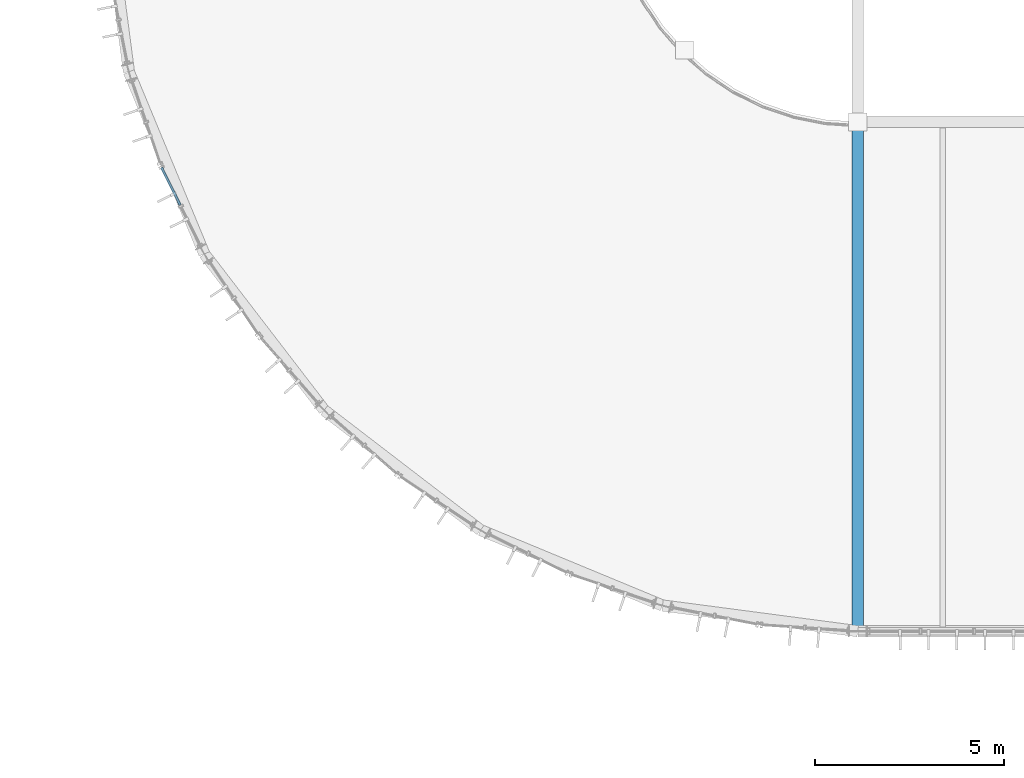
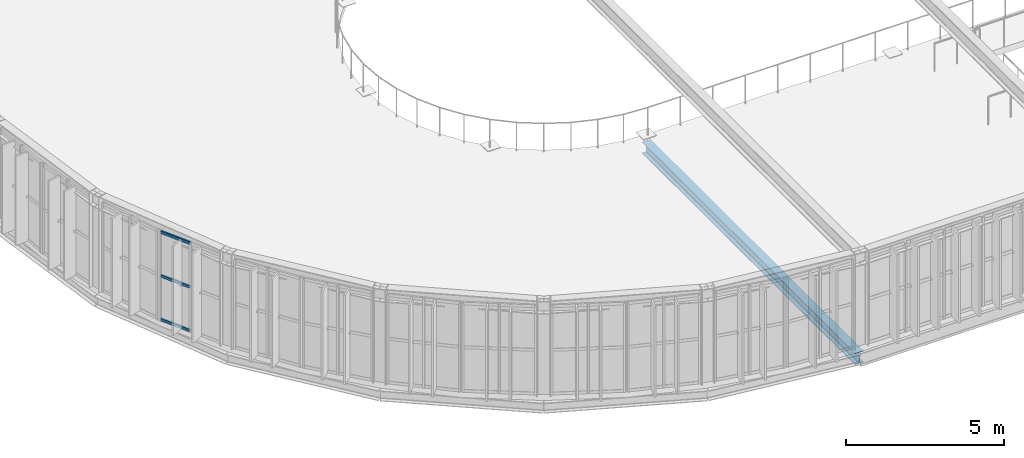
# One storey, part 15 of 152: 3 members, 1 beam, 1 element without a shape of its own.
"""IFC4 building model written with IfcOpenShell, lengths in metres."""

from ifc_helpers import new_model, si_unit, derived_unit, direction, frame, origin, origin_2d, place, context, subcontext, project, spatial, hollow_rectangle, i_section, extrude, material, material_profile, profile_set, type_object, element, aggregate, save


model = new_model("IFC4")

# Units and contexts
model_context = context("Model", 3, precision=1e-05, world=origin(), true_north=direction((0.0, 1.0)))
body_context = subcontext(model_context, "Body", "Model", "MODEL_VIEW")
ifc_project = project(units=[si_unit("LENGTHUNIT", "METRE"), si_unit("AREAUNIT", "SQUARE_METRE"), si_unit("VOLUMEUNIT", "CUBIC_METRE"), si_unit("PLANEANGLEUNIT", "RADIAN"), si_unit("MASSUNIT", "GRAM", prefix="KILO"), si_unit("THERMODYNAMICTEMPERATUREUNIT", "KELVIN"), si_unit("TIMEUNIT", "SECOND"), derived_unit("THERMALTRANSMITTANCEUNIT", [(si_unit("MASSUNIT", "GRAM", prefix="KILO"), 1), (si_unit("THERMODYNAMICTEMPERATUREUNIT", "KELVIN"), -1), (si_unit("TIMEUNIT", "SECOND"), -3)])], contexts=[model_context])

# Site, building, storey
site_placement = place(None, origin())
site = spatial("IfcSite", under=ifc_project, at=site_placement, CompositionType="ELEMENT")
building_placement = place(site_placement, origin())
building = spatial("IfcBuilding", under=site, at=building_placement, Name="Cambertide Market Hall", CompositionType="ELEMENT")
storey_placement = place(building_placement, frame((0.0, 0.0, 5.39990234375)))
storey = spatial("IfcBuildingStorey", under=building, at=storey_placement, Name="L02", CompositionType="ELEMENT", Elevation=5.39990234375)

# Curtain wall, members
ifc_material_1 = material(Name="Marine Anodized Aluminium 6063-T6 AA25", Category="aluminium")
curtain_wall_type = type_object("IfcCurtainWallType", Name="Lantern Apse Chord Upper Curtain Wall", PredefinedType="USERDEFINED", material=ifc_material_1)
curtain_wall_placement = place(storey_placement, origin())
curtain_wall = element("IfcCurtainWall", 1, at=curtain_wall_placement, inside=storey, type_object=curtain_wall_type, Name="Level 2 Curtain Wall CW-V1AW-L02-16", ObjectType="UNITIZED CURTAIN WALL", PredefinedType="USERDEFINED")
ifc_material_2 = material(Name="Champagne Marine Anodized Aluminium 6063-T6 AA25", Category="aluminium")
ifc_material_profile_1 = material_profile(ifc_material_2, hollow_rectangle(XDim=0.06005859375, YDim=0.10498046875, WallThickness=0.0029296875, at=origin_2d()), Name="ALU TRANSOM 60x105")
ifc_profile_set_1 = profile_set([ifc_material_profile_1], Name="Champagne Marine Anodized Aluminium 6063-T6 AA25")
member_type = type_object("IfcMemberType", Name="Curtain Wall Transom ALU TRANSOM 60x105", PredefinedType="USERDEFINED", material=ifc_profile_set_1)
member_1_placement = place(storey_placement, frame((24.0390625, 63.298828125, 0.03515625), z_axis=(-0.44244786472, 0.896794227794, 0.0), x_axis=(-0.896794227794, -0.44244786472, 0.0)))
member_1 = element("IfcMember", 2, at=member_1_placement, type_object=member_type, Name="CW-V1AW-L02-16 Transom 1-2", ObjectType="TRANSOM", PredefinedType="USERDEFINED", context=body_context, shape_type="SweptSolid", body=[
    extrude(hollow_rectangle(XDim=0.06005859375, YDim=0.10498046875, WallThickness=0.0029296875, at=origin_2d()), origin(), (0.0, 0.0, 1.0), 1.10791015625),
])
member_2_placement = place(storey_placement, frame((24.0390625, 63.298828125, 1.72509765625), z_axis=(-0.44244786472, 0.896794227794, 0.0), x_axis=(-0.896794227794, -0.44244786472, 0.0)))
member_2 = element("IfcMember", 3, at=member_2_placement, type_object=member_type, Name="CW-V1AW-L02-16 Transom 2-2", ObjectType="TRANSOM", PredefinedType="USERDEFINED", context=body_context, shape_type="SweptSolid", body=[
    extrude(hollow_rectangle(XDim=0.06005859375, YDim=0.10498046875, WallThickness=0.0029296875, at=origin_2d()), origin(), (0.0, 0.0, 1.0), 1.10791015625),
])
member_3_placement = place(storey_placement, frame((24.0390625, 63.298828125, 3.4150390625), z_axis=(-0.44244786472, 0.896794227794, 0.0), x_axis=(-0.896794227794, -0.44244786472, 0.0)))
member_3 = element("IfcMember", 4, at=member_3_placement, type_object=member_type, Name="CW-V1AW-L02-16 Transom 3-2", ObjectType="TRANSOM", PredefinedType="USERDEFINED", context=body_context, shape_type="SweptSolid", body=[
    extrude(hollow_rectangle(XDim=0.06005859375, YDim=0.10498046875, WallThickness=0.0029296875, at=origin_2d()), origin(), (0.0, 0.0, 1.0), 1.10791015625),
])
aggregate(curtain_wall, [member_1, member_2, member_3])

# Beam
ifc_material_3 = material(Name="Steel S355", Category="steel")
ifc_material_profile_2 = material_profile(ifc_material_3, i_section(OverallWidth=0.300048828125, OverallDepth=0.449951171875, WebThickness=0.013916015625, FlangeThickness=0.02587890625, FilletRadius=0.027099609375, at=origin_2d()), Name="HEB 450")
ifc_profile_set_2 = profile_set([ifc_material_profile_2], Name="Steel S355")
beam_type = type_object("IfcBeamType", Name="Steel Girder HEB 450", PredefinedType="BEAM", material=ifc_profile_set_2)
beam_placement = place(storey_placement, frame((42.0, 52.0, -0.46484375), z_axis=(0.0, 1.0, 0.0), x_axis=(-1.0, 0.0, 0.0)))
element("IfcBeam", 5, at=beam_placement, inside=storey, type_object=beam_type, Name="Level 2 Beam BM-V1TS-L02-1", PredefinedType="BEAM", context=body_context, shape_type="SweptSolid", body=[
    extrude(i_section(OverallWidth=0.300048828125, OverallDepth=0.449951171875, WebThickness=0.013916015625, FlangeThickness=0.02587890625, FilletRadius=0.027099609375, at=origin_2d()), origin(), (0.0, 0.0, 1.0), 13.5),
])

save(model, "model.ifc")
